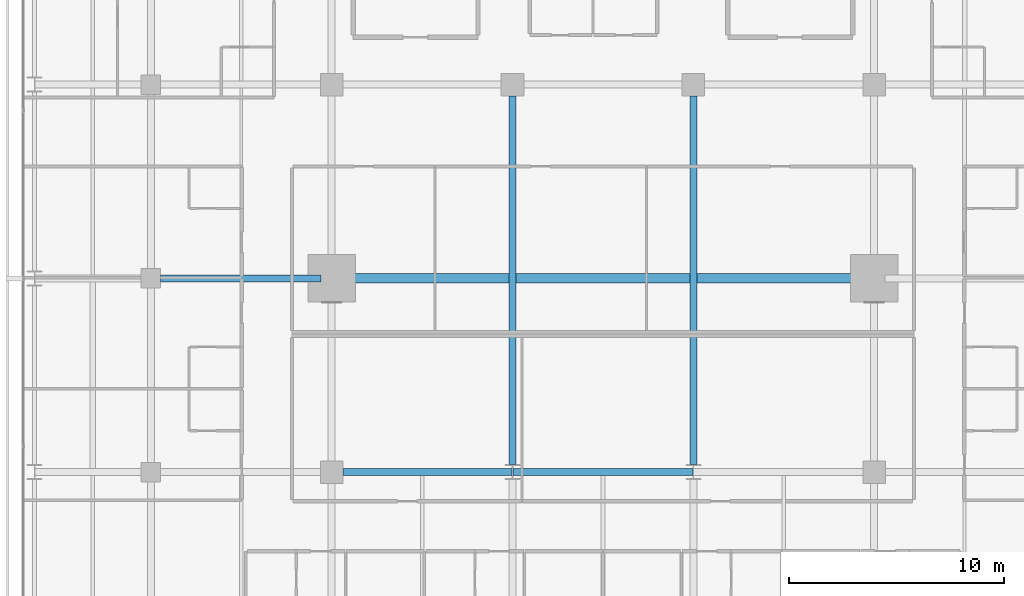
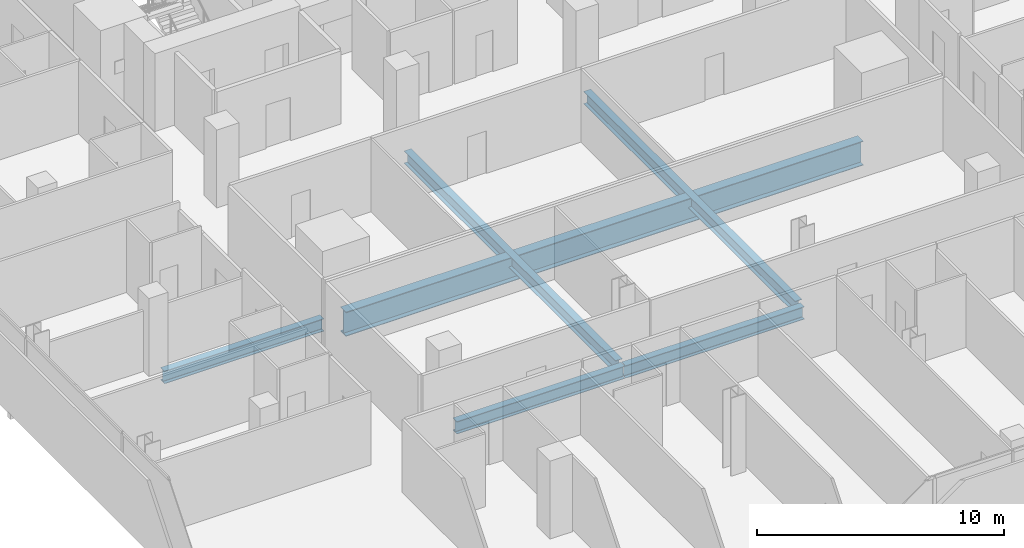
# One storey, part 13 of 40: 6 beams.
"""IFC4 building model written with IfcOpenShell, lengths in metres."""

from ifc_helpers import new_model, si_unit, direction, frame, origin, origin_2d, place, context, subcontext, project, spatial, i_section, extrude, material, material_profile, profile_set, type_object, element, save


model = new_model("IFC4")

# Units and contexts
model_context = context("Model", 3, precision=1e-05, world=origin(), true_north=direction((0.0, 1.0)))
body_context = subcontext(model_context, "Body", "Model", "MODEL_VIEW")
ifc_project = project(units=[si_unit("LENGTHUNIT", "METRE"), si_unit("AREAUNIT", "SQUARE_METRE"), si_unit("VOLUMEUNIT", "CUBIC_METRE"), si_unit("PLANEANGLEUNIT", "RADIAN"), si_unit("MASSUNIT", "GRAM", prefix="KILO")], contexts=[model_context])

# Site, building, storey
site_placement = place(None, origin())
site = spatial("IfcSite", under=ifc_project, at=site_placement, CompositionType="ELEMENT")
building_placement = place(site_placement, origin())
building = spatial("IfcBuilding", under=site, at=building_placement, Name="Maruvema Waterfront Hotel and Observation Tower", CompositionType="ELEMENT")
storey_placement = place(building_placement, frame((0.0, 0.0, 50.050048828125)))
storey = spatial("IfcBuildingStorey", under=building, at=storey_placement, Name="L11", CompositionType="ELEMENT", Elevation=50.050048828125)

# Beams
ifc_material_1 = material(Name="Steel ASTM A572 Grade 50", Category="steel")
ifc_material_profile_1 = material_profile(ifc_material_1, i_section(OverallWidth=0.326904296875, OverallDepth=0.6220703125, WebThickness=0.015380859375, FlangeThickness=0.0244140625, FilletRadius=0.01806640625, at=origin_2d()), Name="W610x195.0")
ifc_profile_set_1 = profile_set([ifc_material_profile_1], Name="Steel ASTM A572 Grade 50")
beam_type_1 = type_object("IfcBeamType", Name="Primary Floor Girder W610x195.0", PredefinedType="BEAM", material=ifc_profile_set_1)
beam_1_placement = place(storey_placement, frame((25.72509765625, 18.0, -0.551025390625), z_axis=(1.0, 0.0, 0.0), x_axis=(0.0, 1.0, 0.0)))
element("IfcBeam", 1, at=beam_1_placement, inside=storey, type_object=beam_type_1, Name="L11 Floor Girder EW-15", PredefinedType="BEAM", context=body_context, shape_type="SweptSolid", body=[
    extrude(i_section(OverallWidth=0.326904296875, OverallDepth=0.6220703125, WebThickness=0.015380859375, FlangeThickness=0.0244140625, FilletRadius=0.01806640625, at=origin_2d()), origin(), (0.0, 0.0, 1.0), 7.86083984375),
])
beam_2_placement = place(storey_placement, frame((33.614013671875, 18.0, -0.551025390625), z_axis=(1.0, 0.0, 0.0), x_axis=(0.0, 1.0, 0.0)))
element("IfcBeam", 2, at=beam_2_placement, inside=storey, type_object=beam_type_1, Name="L11 Floor Girder EW-16", PredefinedType="BEAM", context=body_context, shape_type="SweptSolid", body=[
    extrude(i_section(OverallWidth=0.326904296875, OverallDepth=0.6220703125, WebThickness=0.015380859375, FlangeThickness=0.0244140625, FilletRadius=0.01806640625, at=origin_2d()), origin(), (0.0, 0.0, 1.0), 8.3720703125),
])
beam_3_placement = place(storey_placement, frame((17.25, 27.0, -0.551025390625), z_axis=(1.0, 0.0, 0.0), x_axis=(0.0, 1.0, 0.0)))
element("IfcBeam", 3, at=beam_3_placement, inside=storey, type_object=beam_type_1, Name="L11 Floor Girder EW-21", PredefinedType="BEAM", context=body_context, shape_type="SweptSolid", body=[
    extrude(i_section(OverallWidth=0.326904296875, OverallDepth=0.6220703125, WebThickness=0.015380859375, FlangeThickness=0.0244140625, FilletRadius=0.01806640625, at=origin_2d()), origin(), (0.0, 0.0, 1.0), 7.449951171875),
])
for number, where, z_axis, x_axis, name in (
    (4, (33.60009765625, 18.35009765625, -0.551025390625), (0.0, 1.0, 0.0), (-1.0, 0.0, 0.0), "L11 Floor Girder NS-18"),
    (5, (42.0, 18.35009765625, -0.551025390625), (0.0, 1.0, 0.0), (-1.0, 0.0, 0.0), "L11 Floor Girder NS-21"),
):
    element("IfcBeam", number, at=place(storey_placement, frame(where, z_axis=z_axis, x_axis=x_axis)), inside=storey, type_object=beam_type_1, Name=name, PredefinedType="BEAM", context=body_context, shape_type="SweptSolid", body=[
        extrude(i_section(OverallWidth=0.326904296875, OverallDepth=0.6220703125, WebThickness=0.015380859375, FlangeThickness=0.0244140625, FilletRadius=0.01806640625, at=origin_2d()), origin(), (0.0, 0.0, 1.0), 17.125),
    ])
ifc_material_2 = material(Name="Steel ABNT NBR 7007 AR 415 (ASTM A572 Grade 50)", Category="steel")
ifc_material_profile_2 = material_profile(ifc_material_2, i_section(OverallWidth=0.449951171875, OverallDepth=1.199951171875, WebThickness=0.01904296875, FlangeThickness=0.031982421875, at=origin_2d()), Name="VS1200x366")
ifc_profile_set_2 = profile_set([ifc_material_profile_2], Name="Steel ABNT NBR 7007 AR 415 (ASTM A572 Grade 50)")
beam_type_2 = type_object("IfcBeamType", Name="Upper Setback Transfer Girder VS1200x366", PredefinedType="USERDEFINED", material=ifc_profile_set_2)
beam_4_placement = place(storey_placement, frame((25.699951171875, 27.0, -0.840087890625), z_axis=(1.0, 0.0, 0.0), x_axis=(0.0, 1.0, 0.0)))
element("IfcBeam", 6, at=beam_4_placement, inside=storey, type_object=beam_type_2, Name="L11 Floor Girder EW-22", ObjectType="TRANSFER GIRDER", PredefinedType="USERDEFINED", context=body_context, shape_type="SweptSolid", body=[
    extrude(i_section(OverallWidth=0.449951171875, OverallDepth=1.199951171875, WebThickness=0.01904296875, FlangeThickness=0.031982421875, at=origin_2d()), origin(), (0.0, 0.0, 1.0), 24.199951171875),
])

save(model, "model.ifc")
